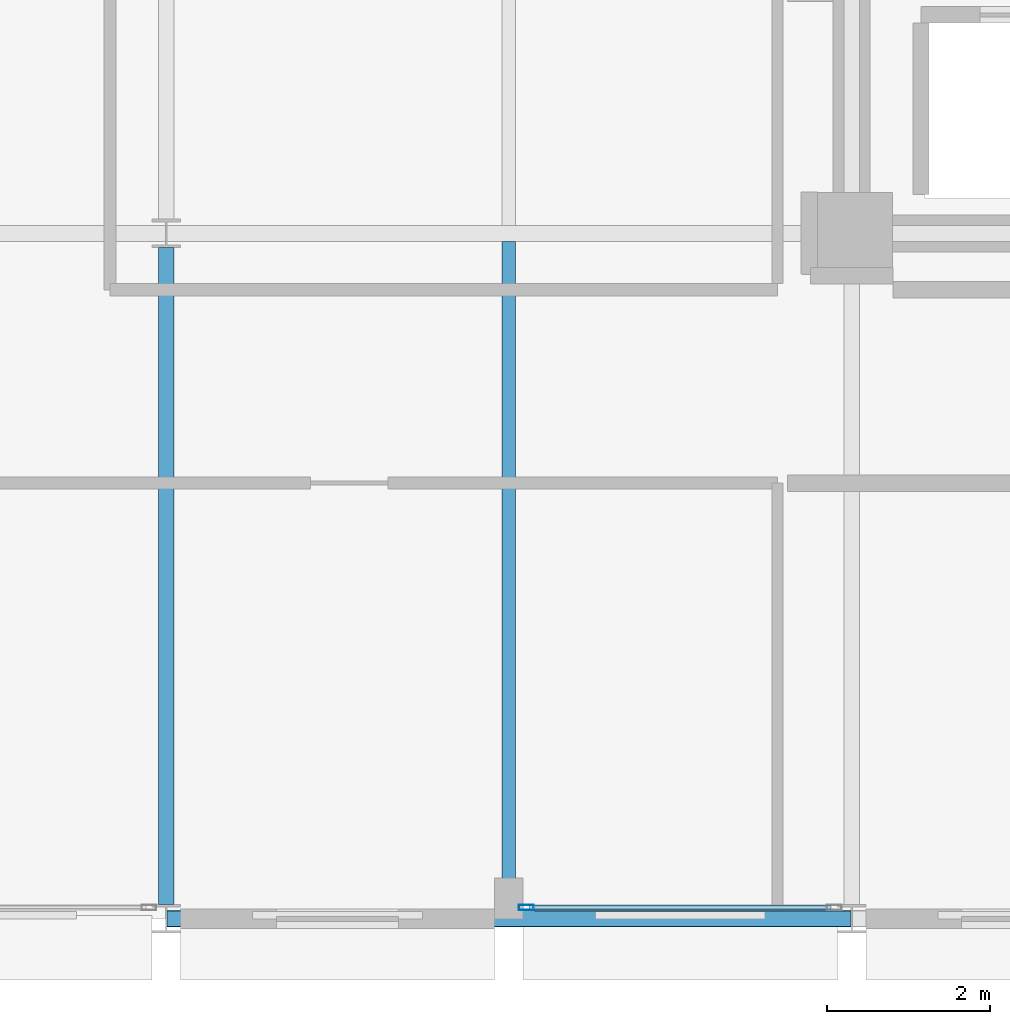
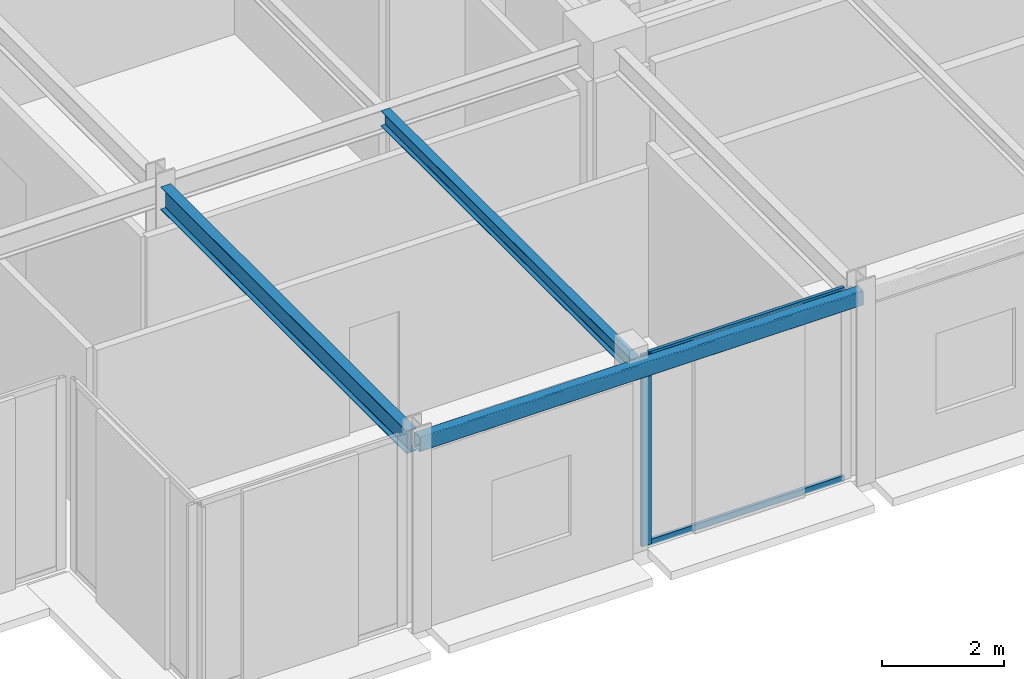
# One storey, part 3 of 26: 3 beams, 3 members, 1 element without a shape of its own.
"""IFC4 building model written with IfcOpenShell, lengths in metres."""

from ifc_helpers import new_model, si_unit, direction, frame, origin, origin_2d, place, context, subcontext, project, spatial, hollow_rectangle, i_section, extrude, material, layer, layer_set, material_profile, profile_set, type_object, element, aggregate, save


model = new_model("IFC4")

# Units and contexts
model_context = context("Model", 3, precision=1e-05, world=origin(), true_north=direction((0.0, 1.0)))
body_context = subcontext(model_context, "Body", "Model", "MODEL_VIEW")
ifc_project = project(units=[si_unit("LENGTHUNIT", "METRE"), si_unit("AREAUNIT", "SQUARE_METRE"), si_unit("VOLUMEUNIT", "CUBIC_METRE"), si_unit("PLANEANGLEUNIT", "RADIAN"), si_unit("MASSUNIT", "GRAM", prefix="KILO")], contexts=[model_context])

# Site, building, storey
site_placement = place(None, origin())
site = spatial("IfcSite", under=ifc_project, at=site_placement, CompositionType="ELEMENT")
building_placement = place(site_placement, origin())
building = spatial("IfcBuilding", under=site, at=building_placement, Name="Nerrivon Quay Data Exchange", CompositionType="ELEMENT")
storey_placement = place(building_placement, frame((0.0, 0.0, 228.800048828125)))
storey = spatial("IfcBuildingStorey", under=building, at=storey_placement, Name="L54", CompositionType="ELEMENT", Elevation=228.800048828125)

# Beams
ifc_material_1 = material(Name="Steel Grade 350", Category="steel")
ifc_material_profile_1 = material_profile(ifc_material_1, i_section(OverallWidth=0.18994140625, OverallDepth=0.4541015625, WebThickness=0.008544921875, FlangeThickness=0.0126953125, FilletRadius=0.011474609375, at=origin_2d()), Name="460UB67.1")
ifc_profile_set_1 = profile_set([ifc_material_profile_1], Name="Steel Grade 350")
beam_type_1 = type_object("IfcBeamType", Name="BM-G6-460UB67", PredefinedType="BEAM", material=ifc_profile_set_1)
beam_1_placement = place(storey_placement, frame((8.39990234375, 0.175048828125, 3.597900390625), z_axis=(0.0, 1.0, 0.0), x_axis=(-1.0, 0.0, 0.0)))
element("IfcBeam", 1, at=beam_1_placement, inside=storey, type_object=beam_type_1, Name="L54 NS Girder X=8.4 (0.0..8.4)", PredefinedType="BEAM", context=body_context, shape_type="SweptSolid", body=[
    extrude(i_section(OverallWidth=0.18994140625, OverallDepth=0.4541015625, WebThickness=0.008544921875, FlangeThickness=0.0126953125, FilletRadius=0.011474609375, at=origin_2d()), origin(), (0.0, 0.0, 1.0), 8.050048828125),
])
ifc_material_profile_2 = material_profile(ifc_material_1, i_section(OverallWidth=0.166015625, OverallDepth=0.306884765625, WebThickness=0.006591796875, FlangeThickness=0.01171875, FilletRadius=0.011474609375, at=origin_2d()), Name="310UB46.2")
ifc_profile_set_2 = profile_set([ifc_material_profile_2], Name="Steel Grade 350")
beam_type_2 = type_object("IfcBeamType", Name="BM-J5-310UB46", PredefinedType="JOIST", material=ifc_profile_set_2)
beam_2_placement = place(storey_placement, frame((12.60009765625, 0.10009765625, 3.67138671875), z_axis=(0.0, 1.0, 0.0), x_axis=(-1.0, 0.0, 0.0)))
element("IfcBeam", 2, at=beam_2_placement, inside=storey, type_object=beam_type_2, Name="L54 Secondary Joist X=12.6 (0.0..8.4)", PredefinedType="JOIST", context=body_context, shape_type="SweptSolid", body=[
    extrude(i_section(OverallWidth=0.166015625, OverallDepth=0.306884765625, WebThickness=0.006591796875, FlangeThickness=0.01171875, FilletRadius=0.011474609375, at=origin_2d()), origin(), (0.0, 0.0, 1.0), 8.204345703125),
])
ifc_material_2 = material(Name="Steel Grade C350L0 (350 MPa)", Category="steel")
ifc_material_profile_3 = material_profile(ifc_material_2, hollow_rectangle(XDim=0.199951171875, YDim=0.300048828125, WallThickness=0.012451171875, InnerFilletRadius=0.018798828125, OuterFilletRadius=0.03125, at=origin_2d()), Name="300x200x12.5RHS")
ifc_profile_set_3 = profile_set([ifc_material_profile_3], Name="Steel Grade C350L0 (350 MPa)")
beam_type_3 = type_object("IfcBeamType", Name="BM-SP3-300x200RHS", PredefinedType="SPANDREL", material=ifc_profile_set_3)
beam_3_placement = place(storey_placement, frame((8.409912109375, 0.0, 3.675048828125), z_axis=(1.0, 0.0, 0.0), x_axis=(0.0, 1.0, 0.0)))
element("IfcBeam", 3, at=beam_3_placement, inside=storey, type_object=beam_type_3, Name="L54 EW Girder Y=0.0 (8.4..16.8)", PredefinedType="SPANDREL", context=body_context, shape_type="SweptSolid", body=[
    extrude(hollow_rectangle(XDim=0.199951171875, YDim=0.300048828125, WallThickness=0.012451171875, InnerFilletRadius=0.018798828125, OuterFilletRadius=0.03125, at=origin_2d()), origin(), (0.0, 0.0, 1.0), 8.380126953125),
])

# Curtain wall, members
ifc_material_3 = material(Name="Anodised aluminium 6063-T6", Category="aluminium")
ifc_layer = layer(ifc_material_3, 0.195068359375)
ifc_layer_set = layer_set([ifc_layer], Name="Anodised aluminium 6063-T6")
curtain_wall_type = type_object("IfcCurtainWallType", Name="CW-SYS-06", PredefinedType="NOTDEFINED", material=ifc_layer_set)
curtain_wall_placement = place(storey_placement, origin())
curtain_wall = element("IfcCurtainWall", 4, at=curtain_wall_placement, inside=storey, type_object=curtain_wall_type, Name="L54 Unitised Curtain Wall 6", PredefinedType="NOTDEFINED")
ifc_material_profile_4 = material_profile(ifc_material_3, hollow_rectangle(XDim=0.06494140625, YDim=0.179931640625, WallThickness=0.00341796875, at=origin_2d()), Name="ALU-MULL-180x65")
ifc_profile_set_4 = profile_set([ifc_material_profile_4], Name="Anodised aluminium 6063-T6")
member_type_1 = type_object("IfcMemberType", Name="CWM-180x65", PredefinedType="MULLION", material=ifc_profile_set_4)
member_1_placement = place(storey_placement, frame((12.8125, 0.139892578125, 0.0), z_axis=(0.0, 0.0, 1.0), x_axis=(0.0, -1.0, 0.0)))
member_1 = element("IfcMember", 5, at=member_1_placement, type_object=member_type_1, Name="CW06 mullion 2", PredefinedType="MULLION", context=body_context, shape_type="SweptSolid", body=[
    extrude(hollow_rectangle(XDim=0.06494140625, YDim=0.179931640625, WallThickness=0.00341796875, at=origin_2d()), origin(), (0.0, 0.0, 1.0), 3.824951171875),
])
ifc_material_profile_5 = material_profile(ifc_material_3, hollow_rectangle(XDim=0.06005859375, YDim=0.1201171875, WallThickness=0.003173828125, at=origin_2d()), Name="ALU-TRAN-120x60")
ifc_profile_set_5 = profile_set([ifc_material_profile_5], Name="Anodised aluminium 6063-T6")
member_type_2 = type_object("IfcMemberType", Name="CWT-120x60", PredefinedType="USERDEFINED", material=ifc_profile_set_5)
member_2_placement = place(storey_placement, frame((16.550048828125, 0.139892578125, 0.032470703125), z_axis=(-1.0, 0.0, 0.0), x_axis=(0.0, -1.0, 0.0)))
member_2 = element("IfcMember", 6, at=member_2_placement, type_object=member_type_2, Name="CW06 transom 1.1", ObjectType="TRANSOM", PredefinedType="USERDEFINED", context=body_context, shape_type="SweptSolid", body=[
    extrude(hollow_rectangle(XDim=0.06005859375, YDim=0.1201171875, WallThickness=0.003173828125, at=origin_2d()), origin(), (0.0, 0.0, 1.0), 3.699951171875),
])
member_3_placement = place(storey_placement, frame((16.550048828125, 0.139892578125, 3.79248046875), z_axis=(-1.0, 0.0, 0.0), x_axis=(0.0, -1.0, 0.0)))
member_3 = element("IfcMember", 7, at=member_3_placement, type_object=member_type_2, Name="CW06 transom 1.2", ObjectType="TRANSOM", PredefinedType="USERDEFINED", context=body_context, shape_type="SweptSolid", body=[
    extrude(hollow_rectangle(XDim=0.06005859375, YDim=0.1201171875, WallThickness=0.003173828125, at=origin_2d()), origin(), (0.0, 0.0, 1.0), 3.699951171875),
])
aggregate(curtain_wall, [member_1, member_2, member_3])

save(model, "model.ifc")
